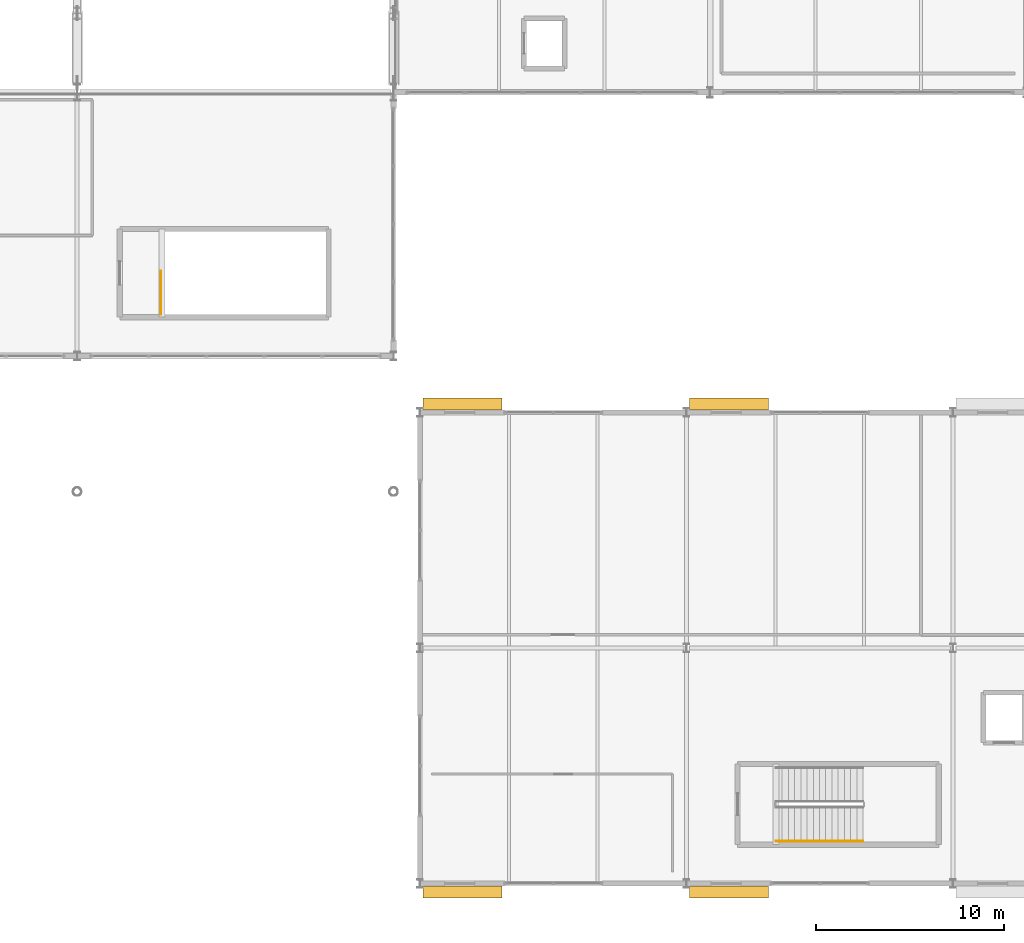
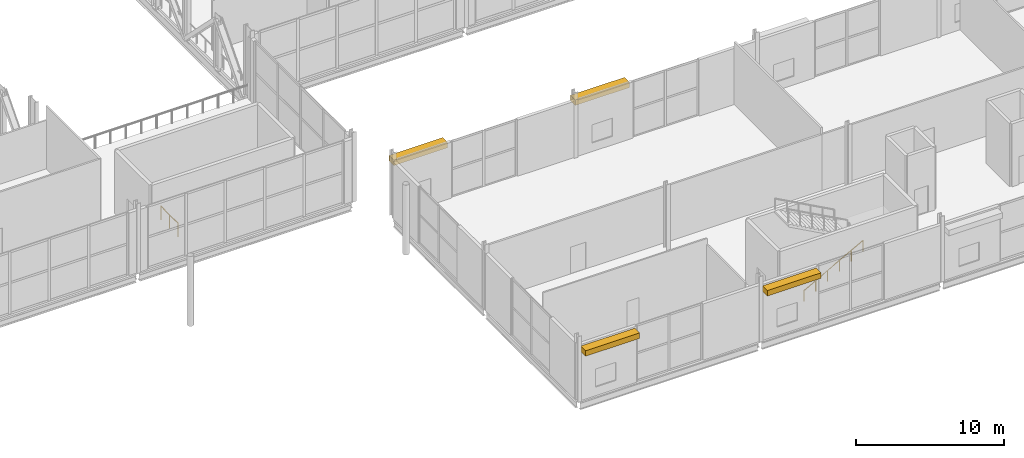
# One storey, part 79 of 84: 4 shading devices, 2 railings.
"""IFC4 building model written with IfcOpenShell, lengths in metres."""

from ifc_helpers import new_model, si_unit, direction, frame, origin, origin_2d, place, context, subcontext, project, spatial, rectangle, circle, extrude, material, type_object, element, save


model = new_model("IFC4")

# Units and contexts
model_context = context("Model", 3, precision=1e-05, world=origin(), true_north=direction((0.0, 1.0)))
body_context = subcontext(model_context, "Body", "Model", "MODEL_VIEW")
ifc_project = project(units=[si_unit("LENGTHUNIT", "METRE"), si_unit("AREAUNIT", "SQUARE_METRE"), si_unit("VOLUMEUNIT", "CUBIC_METRE"), si_unit("PLANEANGLEUNIT", "RADIAN"), si_unit("MASSUNIT", "GRAM", prefix="KILO")], contexts=[model_context])

# Site, building, storey
site_placement = place(None, origin())
site = spatial("IfcSite", under=ifc_project, at=site_placement, CompositionType="ELEMENT")
building_placement = place(site_placement, origin())
building = spatial("IfcBuilding", under=site, at=building_placement, Name="Kimbaza Rail Terminus", CompositionType="ELEMENT")
storey_placement = place(building_placement, frame((0.0, 0.0, 5.39990234375)))
storey = spatial("IfcBuildingStorey", under=building, at=storey_placement, Name="L01", CompositionType="ELEMENT", Elevation=5.39990234375)

# Railings
ifc_material_1 = material(Name="Brushed stainless steel handrail", Category="steel")
railing_type_1 = type_object("IfcRailingType", Name="ARC-RL-HND92", PredefinedType="HANDRAIL", material=ifc_material_1)
railing_1_placement = place(storey_placement, frame((176.300048828125, 15.25, 0.18017578125)))
element("IfcRailing", 1, at=railing_1_placement, inside=storey, type_object=railing_type_1, Name="L01 ST-P1 stair handrail 1", PredefinedType="HANDRAIL", context=body_context, shape_type="SweptSolid", body=[
    extrude(circle(Radius=0.02392578125, at=origin_2d()), frame((0.0, 0.0, 0.8759765625), z_axis=(0.877888480945, 0.0, 0.478865132395), x_axis=(0.0, 1.0, 0.0)), (0.0, 0.0, 1.0), 5.262451171875),
    extrude(circle(Radius=0.02099609375, at=origin_2d()), origin(), (0.0, 0.0, 1.0), 0.851806640625),
    extrude(circle(Radius=0.02099609375, at=origin_2d()), frame((0.924072265625, 0.0, 0.50390625)), (0.0, 0.0, 1.0), 0.851806640625),
    extrude(circle(Radius=0.02099609375, at=origin_2d()), frame((1.847900390625, 0.0, 1.008056640625)), (0.0, 0.0, 1.0), 0.851806640625),
    extrude(circle(Radius=0.02099609375, at=origin_2d()), frame((2.77197265625, 0.0, 1.511962890625)), (0.0, 0.0, 1.0), 0.851806640625),
    extrude(circle(Radius=0.02099609375, at=origin_2d()), frame((3.69580078125, 0.0, 2.01611328125)), (0.0, 0.0, 1.0), 0.851806640625),
    extrude(circle(Radius=0.02099609375, at=origin_2d()), frame((4.619873046875, 0.0, 2.52001953125)), (0.0, 0.0, 1.0), 0.851806640625),
])
ifc_material_2 = material(Name="Painted tubular steel stair well guard", Category="steel")
railing_type_2 = type_object("IfcRailingType", Name="ARC-RL-STGRD", PredefinedType="GUARDRAIL", material=ifc_material_2)
railing_2_placement = place(storey_placement, frame((143.64990234375, 43.199951171875, 0.0)))
element("IfcRailing", 2, at=railing_2_placement, inside=storey, type_object=railing_type_2, Name="L01 ST-S2 top well guard 1", PredefinedType="GUARDRAIL", context=body_context, shape_type="SweptSolid", body=[
    extrude(circle(Radius=0.02392578125, at=origin_2d()), frame((0.0, 0.0, 1.09619140625), z_axis=(0.0, 1.0, 0.0), x_axis=(-1.0, 0.0, 0.0)), (0.0, 0.0, 1.0), 2.300048828125),
    extrude(circle(Radius=0.02099609375, at=origin_2d()), origin(), (0.0, 0.0, 1.0), 1.072021484375),
    extrude(circle(Radius=0.02099609375, at=origin_2d()), frame((0.0, 1.14990234375, 0.0)), (0.0, 0.0, 1.0), 1.072021484375),
    extrude(circle(Radius=0.02099609375, at=origin_2d()), frame((0.0, 2.300048828125, 0.0)), (0.0, 0.0, 1.0), 1.072021484375),
])

# Shading devices
ifc_material_3 = material(Name="Perforated champagne anodised aluminium louvre", Category="aluminium")
shading_device_type = type_object("IfcShadingDeviceType", Name="ARC-SHD-LVR1", PredefinedType="JALOUSIE", material=ifc_material_3)
for number, where, z_axis, x_axis, name in (
    (3, (159.64990234375, 38.452880859375, 4.05029296875), (0.0, 0.0, 1.0), (1.0, 0.0, 0.0), "Pavilion Veranda Louvre L01.1"),
    (4, (173.800048828125, 38.452880859375, 4.05029296875), (0.0, 0.0, 1.0), (1.0, 0.0, 0.0), "Pavilion Veranda Louvre L01.2"),
    (5, (159.64990234375, 12.547119140625, 4.05029296875), (0.0, 0.0, 1.0), (1.0, 0.0, 0.0), "Pavilion Veranda Louvre L01.1"),
    (6, (173.800048828125, 12.547119140625, 4.05029296875), (0.0, 0.0, 1.0), (1.0, 0.0, 0.0), "Pavilion Veranda Louvre L01.2"),
):
    element("IfcShadingDevice", number, at=place(storey_placement, frame(where, z_axis=z_axis, x_axis=x_axis)), inside=storey, type_object=shading_device_type, Name=name, PredefinedType="JALOUSIE", context=body_context, shape_type="SweptSolid", body=[
        extrude(rectangle(XDim=4.199951171875, YDim=0.64990234375, at=origin_2d()), origin(), (0.0, 0.0, 1.0), 0.449951171875),
    ])

save(model, "model.ifc")
